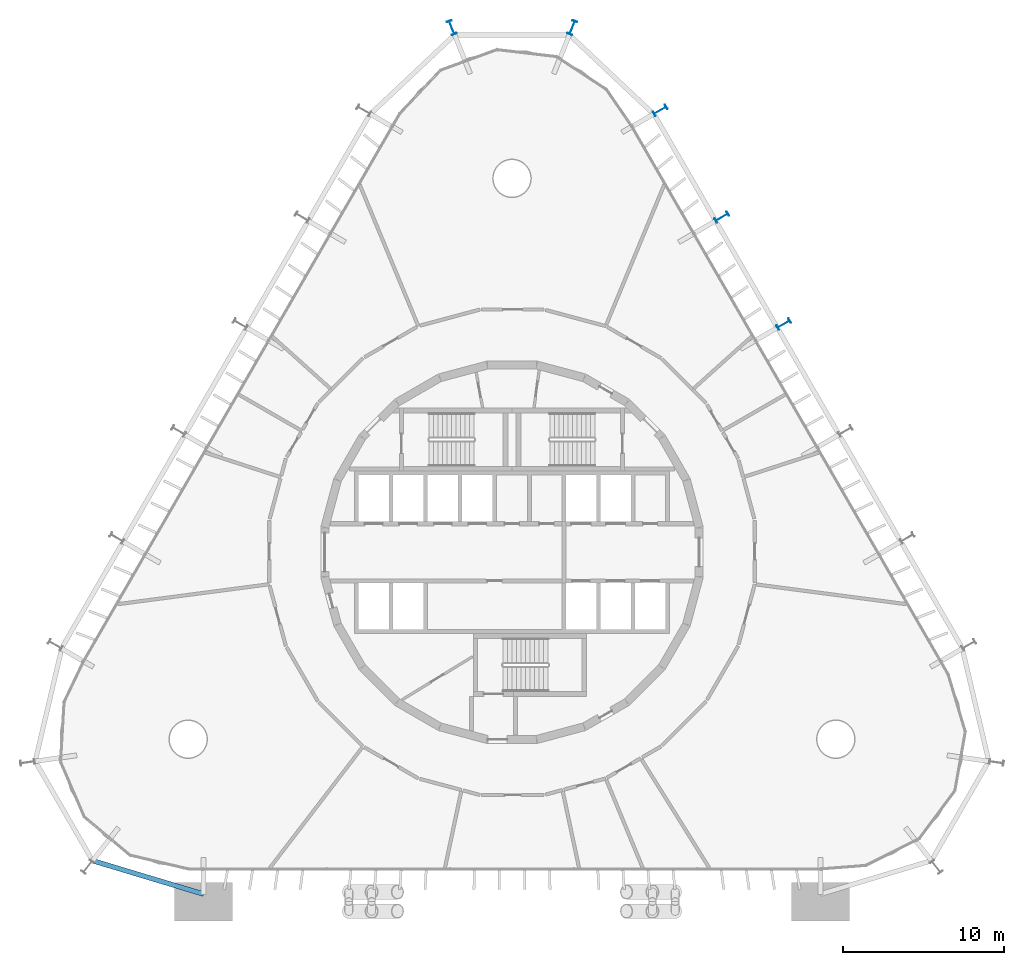
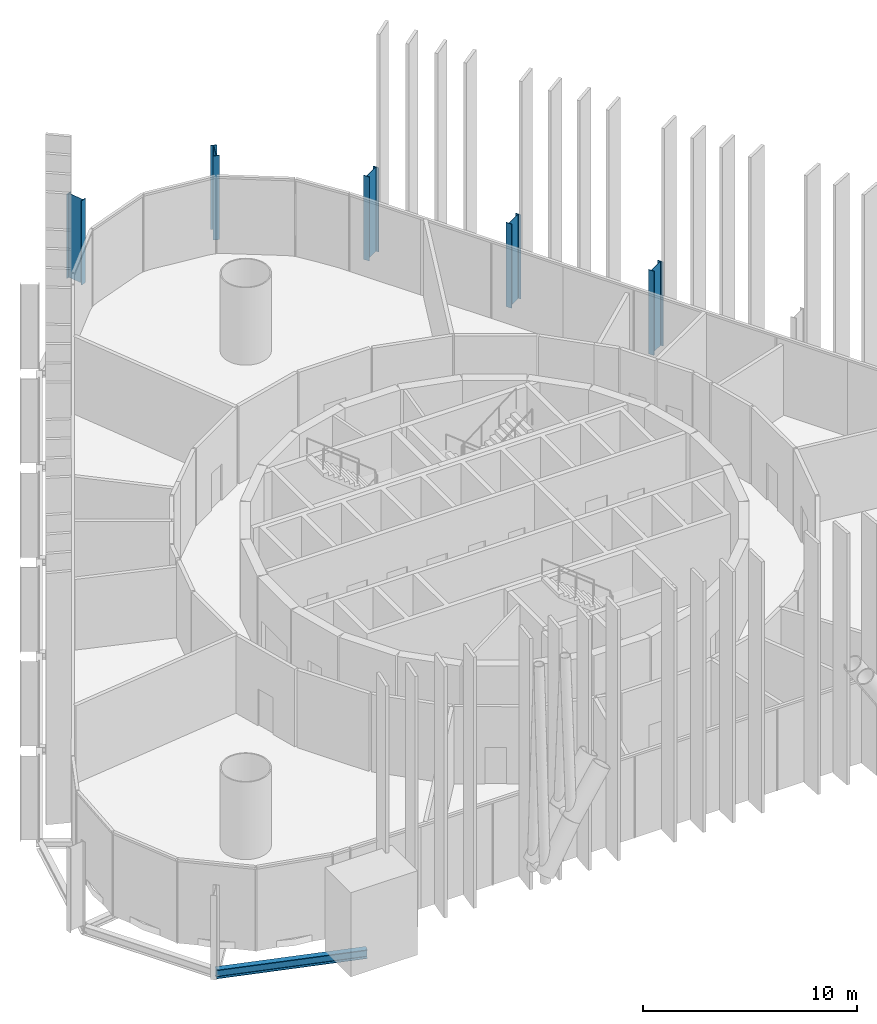
# One storey, part 2 of 17: 5 columns, 1 beam.
"""IFC4 building model written with IfcOpenShell, lengths in metres."""

from ifc_helpers import new_model, si_unit, direction, frame, origin, origin_2d, place, context, subcontext, project, spatial, i_section, extrude, material, material_profile, profile_set, type_object, element, save


model = new_model("IFC4")

# Units and contexts
model_context = context("Model", 3, precision=1e-05, world=origin(), true_north=direction((0.0, 1.0)))
body_context = subcontext(model_context, "Body", "Model", "MODEL_VIEW")
ifc_project = project(units=[si_unit("LENGTHUNIT", "METRE"), si_unit("AREAUNIT", "SQUARE_METRE"), si_unit("VOLUMEUNIT", "CUBIC_METRE"), si_unit("PLANEANGLEUNIT", "RADIAN"), si_unit("MASSUNIT", "GRAM", prefix="KILO")], contexts=[model_context])

# Site, building, storey
site_placement = place(None, origin())
site = spatial("IfcSite", under=ifc_project, at=site_placement, CompositionType="ELEMENT")
building_placement = place(site_placement, origin())
building = spatial("IfcBuilding", under=site, at=building_placement, Name="Spindle Arch Residences", CompositionType="ELEMENT")
storey_placement = place(building_placement, frame((0.0, 0.0, 18.60009765625)))
storey = spatial("IfcBuildingStorey", under=building, at=storey_placement, Name="L03", CompositionType="ELEMENT", Elevation=18.60009765625)

# Columns
ifc_material_1 = material(Name="Steel S460ML, intumescent coating R 240", Category="steel")
ifc_material_profile_1 = material_profile(ifc_material_1, i_section(OverallWidth=0.300048828125, OverallDepth=0.89990234375, WebThickness=0.0185546875, FlangeThickness=0.034912109375, FilletRadius=0.030029296875, at=origin_2d()), Name="HEB 900")
ifc_profile_set_1 = profile_set([ifc_material_profile_1], Name="Steel S460ML, intumescent coating R 240")
column_type = type_object("IfcColumnType", Name="Exoskeleton post HEB 900", PredefinedType="COLUMN", material=ifc_profile_set_1)
for number, where, z_axis, x_axis, name in (
    (1, (16.898681640625, 14.1904296875, -0.380126953125), (0.0, 0.0, 1.0), (0.50000017485, -0.866025302835, 0.0), "Exoskeleton post 9"),
    (2, (13.05859375, 20.841796875, -0.380126953125), (0.0, 0.0, 1.0), (0.50000017485, -0.866025302835, 0.0), "Exoskeleton post 10"),
    (3, (9.218505859375, 27.492919921875, -0.380126953125), (0.0, 0.0, 1.0), (0.50000017485, -0.866025302835, 0.0), "Exoskeleton post 11"),
    (4, (3.748291015625, 32.638671875, -0.380126953125), (0.0, 0.0, 1.0), (0.928589751246, -0.371107900591, 0.0), "Exoskeleton post 12"),
    (5, (-3.748291015625, 32.638671875, -0.380126953125), (0.0, 0.0, 1.0), (0.928589751246, 0.371107900591, 0.0), "Exoskeleton post 13"),
):
    element("IfcColumn", number, at=place(storey_placement, frame(where, z_axis=z_axis, x_axis=x_axis)), inside=storey, type_object=column_type, Name=name, PredefinedType="COLUMN", context=body_context, shape_type="SweptSolid", body=[
        extrude(i_section(OverallWidth=0.300048828125, OverallDepth=0.89990234375, WebThickness=0.0185546875, FlangeThickness=0.034912109375, FilletRadius=0.030029296875, at=origin_2d()), origin(), (0.0, 0.0, 1.0), 4.800048828125),
    ])

# Beam
ifc_material_2 = material(Name="Steel S460ML, intumescent coating R 120", Category="steel")
ifc_material_profile_2 = material_profile(ifc_material_2, i_section(OverallWidth=0.300048828125, OverallDepth=0.5, WebThickness=0.014404296875, FlangeThickness=0.028076171875, FilletRadius=0.027099609375, at=origin_2d()), Name="HEB 500")
ifc_profile_set_2 = profile_set([ifc_material_profile_2], Name="Steel S460ML, intumescent coating R 120")
beam_type = type_object("IfcBeamType", Name="Exoskeleton edge beam HEB 500", PredefinedType="BEAM", material=ifc_profile_set_2)
beam_placement = place(storey_placement, frame((-26.119873046875, -19.177490234375, -0.630126953125), z_axis=(0.957564526429, -0.288218975303, 0.0), x_axis=(0.288218975303, 0.957564526429, 0.0)))
element("IfcBeam", 6, at=beam_placement, inside=storey, type_object=beam_type, Name="Exoskeleton edge beam 21", PredefinedType="BEAM", context=body_context, shape_type="SweptSolid", body=[
    extrude(i_section(OverallWidth=0.300048828125, OverallDepth=0.5, WebThickness=0.014404296875, FlangeThickness=0.028076171875, FilletRadius=0.027099609375, at=origin_2d()), origin(), (0.0, 0.0, 1.0), 7.25),
])

save(model, "model.ifc")
